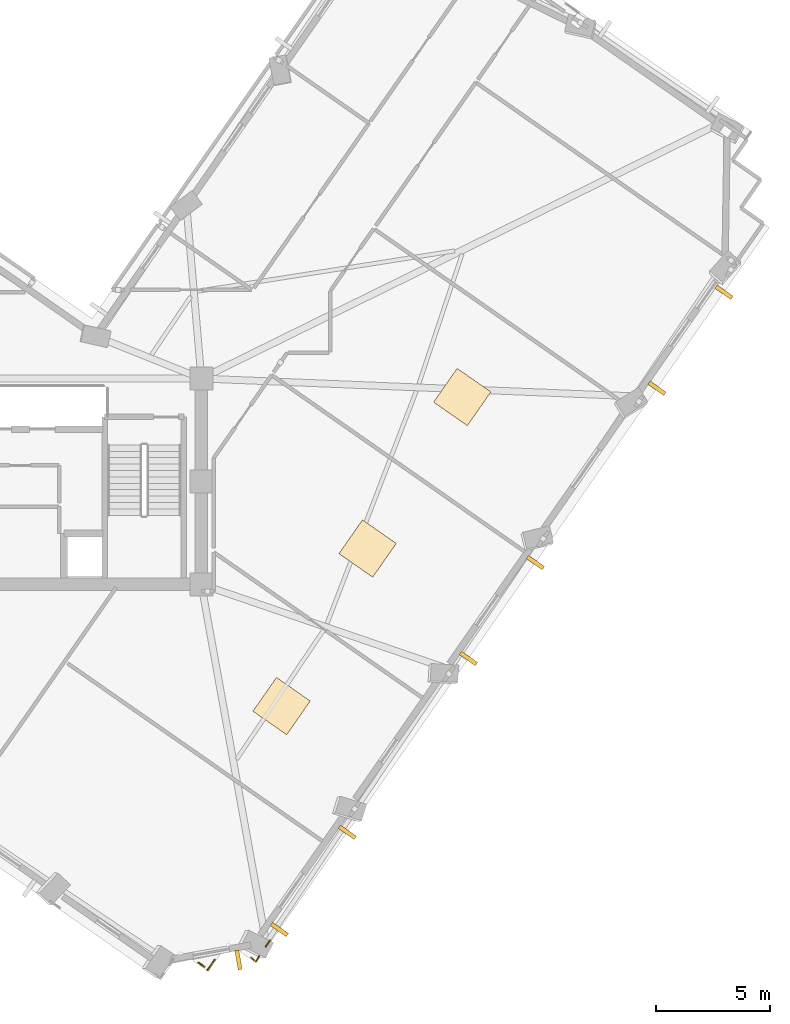
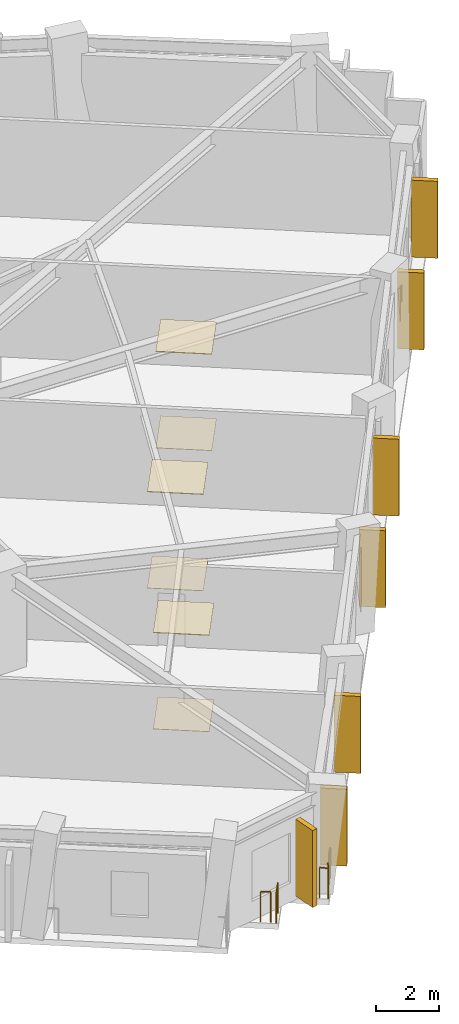
# One storey, part 10 of 12: 7 shading devices, 6 coverings, 4 railings.
"""IFC4 building model written with IfcOpenShell, lengths in metres."""

import ifcopenshell
import ifcopenshell.guid

model = None  # the IFC model being written
_history = None  # IfcOwnerHistory: only IFC2X3 demands one
_inside = {}  # id of a spatial element -> (the spatial element, [elements in it])
_under = {}  # id of a project, library or spatial element -> (it, [spatial elements below it])
_declared = {}  # id of a project -> (the project, [libraries it declares])
_typed = {}  # id of a type object -> (the type object, [elements of that type])
_made_of = {}  # id of a material, layer set ... -> (it, [elements and type objects made of it])


def new_model(schema):
    """Start an empty IFC model of exactly this schema.

    Asked for "IFC4X3", IfcOpenShell would pick the latest addendum, in which some entities
    have other attributes; the version numbers below select the first issue.
    IFC2X3 requires an IfcOwnerHistory on every rooted entity: one is made here for all.
    """
    global model, _history
    if schema == "IFC4X3":
        model = ifcopenshell.file(schema_version=(4, 3, 0, 0))
    else:
        model = ifcopenshell.file(schema=schema)
    _inside.clear()
    _under.clear()
    _declared.clear()
    _typed.clear()
    _made_of.clear()
    _history = None
    if model.schema == "IFC2X3":
        org = make("IfcOrganization", Name="unknown")
        user = make(
            "IfcPersonAndOrganization",
            ThePerson=make("IfcPerson", FamilyName="unknown"),
            TheOrganization=org,
        )
        app = make(
            "IfcApplication",
            ApplicationDeveloper=org,
            Version="unknown",
            ApplicationFullName="unknown",
            ApplicationIdentifier="unknown",
        )
        _history = make(
            "IfcOwnerHistory",
            OwningUser=user,
            OwningApplication=app,
            ChangeAction="ADDED",
            CreationDate=0,
        )
    return model


def make(cls, **values):
    """One entity of the class cls with the attributes given. An attribute that is None is left unset."""
    return model.create_entity(
        cls, **{name: value for name, value in values.items() if value is not None}
    )


def rooted(cls, **values):
    """An entity with a GlobalId (a new one), such as an element, a storey or a relation."""
    return make(cls, GlobalId=ifcopenshell.guid.new(), OwnerHistory=_history, **values)


def si_unit(unit_type, name, prefix=None):
    """IfcSIUnit, for example si_unit("LENGTHUNIT", "METRE", prefix="MILLI")."""
    return make("IfcSIUnit", UnitType=unit_type, Prefix=prefix, Name=name)


def assignment(units):
    """IfcUnitAssignment: the units of a project."""
    return None if units is None else make("IfcUnitAssignment", Units=units)


def point(xyz):
    """IfcCartesianPoint."""
    return None if xyz is None else make("IfcCartesianPoint", Coordinates=xyz)


def direction(xyz):
    """IfcDirection."""
    return None if xyz is None else make("IfcDirection", DirectionRatios=xyz)


def frame(location, z_axis=None, x_axis=None):
    """IfcAxis2Placement3D, a coordinate frame: its origin and axes. An axis left out is left unset."""
    return make(
        "IfcAxis2Placement3D",
        Location=point(location),
        Axis=direction(z_axis),
        RefDirection=direction(x_axis),
    )


def frame_2d(location, x_axis=None):
    """IfcAxis2Placement2D, a coordinate frame in the plane: its origin and x axis."""
    return make(
        "IfcAxis2Placement2D", Location=point(location), RefDirection=direction(x_axis)
    )


def origin():
    """The frame at (0, 0, 0) with its axes left unset."""
    return frame((0.0, 0.0, 0.0))


def origin_2d():
    """The frame at (0, 0) in the plane with its x axis left unset."""
    return frame_2d((0.0, 0.0))


def place(relative_to, where):
    """IfcLocalPlacement: puts the frame where relative to a parent placement (None: the world)."""
    return make(
        "IfcLocalPlacement", PlacementRelTo=relative_to, RelativePlacement=where
    )


def context(
    kind, dimensions, precision=None, world=None, true_north=None, identifier=None
):
    """IfcGeometricRepresentationContext, for example the 3D "Model" context."""
    return make(
        "IfcGeometricRepresentationContext",
        ContextIdentifier=identifier,
        ContextType=kind,
        CoordinateSpaceDimension=dimensions,
        Precision=precision,
        WorldCoordinateSystem=world,
        TrueNorth=true_north,
    )


def subcontext(parent, identifier, kind, view, scale=None):
    """IfcGeometricRepresentationSubContext, for example "Body" below "Model"."""
    return make(
        "IfcGeometricRepresentationSubContext",
        ContextIdentifier=identifier,
        ContextType=kind,
        ParentContext=parent,
        TargetScale=scale,
        TargetView=view,
    )


def project(units=None, contexts=None):
    """IfcProject with its units and contexts."""
    return rooted(
        "IfcProject",
        Name="project",
        RepresentationContexts=contexts,
        UnitsInContext=assignment(units),
    )


def spatial(cls, under=None, at=None, **own):
    """A site, building, storey or space (cls), placed at a placement, below another one or the project."""
    s = rooted(cls, ObjectPlacement=at, **own)
    if under is not None:
        _under.setdefault(under.id(), (under, []))[1].append(s)
    return s


def profile(cls, at=None, kind="AREA", **sizes):
    """A parametric profile (cls). Its sizes go by their IFC names, for example OverallWidth=200.0."""
    return make(cls, ProfileType=kind, Position=at, **sizes)


def rectangle(**sizes):
    """IfcRectangleProfileDef."""
    return profile("IfcRectangleProfileDef", **sizes)


def circle(**sizes):
    """IfcCircleProfileDef."""
    return profile("IfcCircleProfileDef", **sizes)


def extrude(swept, where, along, depth):
    """IfcExtrudedAreaSolid: the profile swept, set in the frame where, extruded along a direction by depth."""
    return make(
        "IfcExtrudedAreaSolid",
        SweptArea=swept,
        Position=where,
        ExtrudedDirection=direction(along),
        Depth=depth,
    )


def shape(context_of_items, identifier, shape_type, items):
    """IfcShapeRepresentation: the items that make up one representation, for example the "Body"."""
    return make(
        "IfcShapeRepresentation",
        ContextOfItems=context_of_items,
        RepresentationIdentifier=identifier,
        RepresentationType=shape_type,
        Items=items,
    )


def material(Name=None, Category=None):
    """IfcMaterial."""
    return make("IfcMaterial", Name=Name, Category=Category)


def layer(
    of_material, thickness, ventilated=None, Name=None, Category=None, Priority=None
):
    """IfcMaterialLayer: one layer of a wall or slab, of a material (None: an air gap)."""
    return make(
        "IfcMaterialLayer",
        Material=of_material,
        LayerThickness=thickness,
        IsVentilated=ventilated,
        Name=Name,
        Category=Category,
        Priority=Priority,
    )


def layer_set(layers, Name=None):
    """IfcMaterialLayerSet."""
    return make("IfcMaterialLayerSet", MaterialLayers=layers, LayerSetName=Name)


def made_of(thing, what):
    """Note that an element or type object is made of a material, layer set ...; save() writes the relation."""
    if what is not None:
        _made_of.setdefault(what.id(), (what, []))[1].append(thing)
    return thing


def type_object(cls, material=None, **own):
    """A type object (cls), such as IfcWallType, which elements share."""
    return made_of(rooted(cls, **own), material)


def element(
    cls,
    number,
    at=None,
    inside=None,
    cuts=None,
    type_object=None,
    material=None,
    context=None,
    identifier="Body",
    shape_type=None,
    held_by="IfcProductDefinitionShape",
    body=None,
    shapes=None,
    **own,
):
    """One element of the class cls, such as IfcWall. Its Tag is "e" and its number.

    at: its placement. inside: the storey or other place that contains it. cuts: it is an
    opening in that element (IfcRelVoidsElement). A single representation is given by context,
    identifier, shape_type and body (its items); several are given by shapes. held_by: the class
    of the entity that holds the representations. save() writes the other relations.
    """
    e = rooted(cls, Tag="e%d" % number, ObjectPlacement=at, **own)
    if body is not None:
        shapes = [shape(context, identifier, shape_type, body)]
    if shapes is not None:
        e.Representation = make(held_by, Representations=shapes)
    if inside is not None:
        _inside.setdefault(inside.id(), (inside, []))[1].append(e)
    if cuts is not None:
        rooted(
            "IfcRelVoidsElement", RelatingBuildingElement=cuts, RelatedOpeningElement=e
        )
    if type_object is not None:
        _typed.setdefault(type_object.id(), (type_object, []))[1].append(e)
    return made_of(e, material)


def aggregate(whole, parts):
    """IfcRelAggregates: a whole, such as a stair, and the parts it consists of."""
    return rooted("IfcRelAggregates", RelatingObject=whole, RelatedObjects=parts)


def save(model, path):
    """Write the relations noted so far, then the file.

    IfcRelAggregates (storeys below a building ...), IfcRelContainedInSpatialStructure (elements
    in a storey), IfcRelDefinesByType, IfcRelAssociatesMaterial and IfcRelDeclares: one each for
    every whole, place, type object, material and project.
    """
    for whole, parts in _under.values():
        aggregate(whole, parts)
    for where, things in _inside.values():
        rooted(
            "IfcRelContainedInSpatialStructure",
            RelatedElements=things,
            RelatingStructure=where,
        )
    for kind, things in _typed.values():
        rooted("IfcRelDefinesByType", RelatedObjects=things, RelatingType=kind)
    for what, things in _made_of.values():
        rooted("IfcRelAssociatesMaterial", RelatedObjects=things, RelatingMaterial=what)
    for by, libraries in _declared.values():
        rooted("IfcRelDeclares", RelatingContext=by, RelatedDefinitions=libraries)
    model.write(path)


model = new_model("IFC4")

# Units and contexts
model_context = context("Model", 3, precision=1e-05, world=origin(), true_north=direction((0.0, 1.0)))
body_context = subcontext(model_context, "Body", "Model", "MODEL_VIEW")
ifc_project = project(units=[si_unit("LENGTHUNIT", "METRE"), si_unit("AREAUNIT", "SQUARE_METRE"), si_unit("VOLUMEUNIT", "CUBIC_METRE"), si_unit("PLANEANGLEUNIT", "RADIAN"), si_unit("MASSUNIT", "GRAM", prefix="KILO")], contexts=[model_context])

# Site, building, storey
site_placement = place(None, origin())
site = spatial("IfcSite", under=ifc_project, at=site_placement, CompositionType="ELEMENT")
building_placement = place(site_placement, origin())
building = spatial("IfcBuilding", under=site, at=building_placement, Name="Gaonmaruhae Medical Tower", CompositionType="ELEMENT")
storey_placement = place(building_placement, frame((0.0, 0.0, 259.199951171875)))
storey = spatial("IfcBuildingStorey", under=building, at=storey_placement, Name="L62", CompositionType="ELEMENT", Elevation=259.199951171875)

# Coverings
ifc_material_1 = material(Name="Acoustic mineral ceiling tile", Category="finish")
ifc_layer_1 = layer(ifc_material_1, 0.02490234375)
ifc_layer_set_1 = layer_set([ifc_layer_1], Name="Acoustic mineral ceiling tile")
covering_type_1 = type_object("IfcCoveringType", Name="CLG-01 Antimicrobial Acoustic Mineral Ceiling", PredefinedType="CEILING", material=ifc_layer_set_1)
for number, where, z_axis, x_axis, name in (
    (1, (39.106689453125, 2.480224609375, 3.755126953125), (0.0, 0.0, 1.0), (0.572145873446, 0.820151875874, 0.0), "L62 Clinical Room Acoustic Ceiling 2"),
    (2, (42.866455078125, 9.367919921875, 3.755126953125), (0.0, 0.0, 1.0), (0.572145873446, 0.820151875874, 0.0), "L62 Clinical Room Acoustic Ceiling 3"),
    (3, (47.004150390625, 15.99169921875, 3.755126953125), (0.0, 0.0, 1.0), (0.572145873446, 0.820151875874, 0.0), "L62 Clinical Room Acoustic Ceiling 4"),
):
    element("IfcCovering", number, at=place(storey_placement, frame(where, z_axis=z_axis, x_axis=x_axis)), inside=storey, type_object=covering_type_1, Name=name, PredefinedType="CEILING", context=body_context, shape_type="SweptSolid", body=[
        extrude(rectangle(XDim=1.800048828125, YDim=1.800048828125, at=origin_2d()), origin(), (0.0, 0.0, 1.0), 0.02490234375),
    ])
ifc_material_2 = material(Name="Seamless clinical vinyl flooring", Category="finish")
ifc_layer_2 = layer(ifc_material_2, 0.014892578125)
ifc_layer_set_2 = layer_set([ifc_layer_2], Name="Seamless clinical vinyl flooring")
covering_type_2 = type_object("IfcCoveringType", Name="FLR-01 Seamless Clinical Antistatic Vinyl Flooring", PredefinedType="FLOORING", material=ifc_layer_set_2)
for number, where, z_axis, x_axis, name in (
    (4, (39.106689453125, 2.480224609375, 0.0), (0.0, 0.0, 1.0), (0.572145873446, 0.820151875874, 0.0), "L62 Clinical Room Vinyl Flooring 2"),
    (5, (42.866455078125, 9.367919921875, 0.0), (0.0, 0.0, 1.0), (0.572145873446, 0.820151875874, 0.0), "L62 Clinical Room Vinyl Flooring 3"),
    (6, (47.004150390625, 15.99169921875, 0.0), (0.0, 0.0, 1.0), (0.572145873446, 0.820151875874, 0.0), "L62 Clinical Room Vinyl Flooring 4"),
):
    element("IfcCovering", number, at=place(storey_placement, frame(where, z_axis=z_axis, x_axis=x_axis)), inside=storey, type_object=covering_type_2, Name=name, PredefinedType="FLOORING", context=body_context, shape_type="SweptSolid", body=[
        extrude(rectangle(XDim=1.800048828125, YDim=1.800048828125, at=origin_2d()), origin(), (0.0, 0.0, 1.0), 0.014892578125),
    ])

# Railings
ifc_material_3 = material(Name="Stainless steel 316L and laminated safety glass", Category="steel")
ifc_layer_3 = layer(ifc_material_3, 0.080078125)
ifc_layer_set_3 = layer_set([ifc_layer_3], Name="Stainless steel 316L and laminated safety glass")
railing_type = type_object("IfcRailingType", Name="GD-120 Outdoor Terrace Safety Glass & Steel Balustrade", PredefinedType="BALUSTRADE", material=ifc_layer_set_3)
railing_1_placement = place(storey_placement, frame((38.601318359375, -7.75830078125, 0.0)))
element("IfcRailing", 7, at=railing_1_placement, inside=storey, type_object=railing_type, Name="L62 Perimeter Slab Edge Safety Balustrade 08", PredefinedType="BALUSTRADE", context=body_context, shape_type="SweptSolid", body=[
    extrude(circle(Radius=0.02392578125, at=origin_2d()), frame((0.0, 0.0, 1.17578125), z_axis=(-0.572159109019, -0.820142642451, 0.0), x_axis=(0.820142642451, -0.572159109019, 0.0)), (0.0, 0.0, 1.0), 0.339599609375),
    extrude(circle(Radius=0.02099609375, at=origin_2d()), origin(), (0.0, 0.0, 1.0), 1.15185546875),
    extrude(circle(Radius=0.02099609375, at=origin_2d()), frame((-0.1943359375, -0.278564453125, 0.0)), (0.0, 0.0, 1.0), 1.15185546875),
])
railing_2_placement = place(storey_placement, frame((36.181884765625, -8.60498046875, 0.0)))
element("IfcRailing", 8, at=railing_2_placement, inside=storey, type_object=railing_type, Name="L62 Perimeter Slab Edge Safety Balustrade 09", PredefinedType="BALUSTRADE", context=body_context, shape_type="SweptSolid", body=[
    extrude(circle(Radius=0.02392578125, at=origin_2d()), frame((0.0, 0.0, 1.17578125), z_axis=(-0.572379326857, -0.819988967113, 0.0), x_axis=(0.819988967113, -0.572379326857, 0.0)), (0.0, 0.0, 1.0), 0.56005859375),
    extrude(circle(Radius=0.02099609375, at=origin_2d()), origin(), (0.0, 0.0, 1.0), 1.15185546875),
    extrude(circle(Radius=0.02099609375, at=origin_2d()), frame((-0.320556640625, -0.459228515625, 0.0)), (0.0, 0.0, 1.0), 1.15185546875),
])
railing_3_placement = place(storey_placement, frame((35.73974609375, -8.918212890625, 0.0)))
element("IfcRailing", 9, at=railing_3_placement, inside=storey, type_object=railing_type, Name="L62 Perimeter Slab Edge Safety Balustrade 10", PredefinedType="BALUSTRADE", context=body_context, shape_type="SweptSolid", body=[
    extrude(circle(Radius=0.02392578125, at=origin_2d()), frame((0.0, 0.0, 1.17578125), z_axis=(-0.820493756817, 0.571655486307, 0.0), x_axis=(-0.571655486307, -0.820493756817, 0.0)), (0.0, 0.0, 1.0), 0.32666015625),
    extrude(circle(Radius=0.02099609375, at=origin_2d()), origin(), (0.0, 0.0, 1.0), 1.15185546875),
    extrude(circle(Radius=0.02099609375, at=origin_2d()), frame((-0.26806640625, 0.186767578125, 0.0)), (0.0, 0.0, 1.0), 1.15185546875),
])
railing_4_placement = place(storey_placement, frame((38.12158203125, -8.4462890625, 0.0)))
element("IfcRailing", 10, at=railing_4_placement, inside=storey, type_object=railing_type, Name="L62 Perimeter Corner Safety Balustrade 19", PredefinedType="BALUSTRADE", context=body_context, shape_type="SweptSolid", body=[
    extrude(circle(Radius=0.02392578125, at=origin_2d()), frame((0.0, 0.0, 1.17578125), z_axis=(-0.468512685308, -0.883456769574, 0.0), x_axis=(0.883456769574, -0.468512685308, 0.0)), (0.0, 0.0, 1.0), 0.287109375),
    extrude(circle(Radius=0.02392578125, at=origin_2d()), frame((-0.134521484375, -0.253662109375, 1.17578125), z_axis=(-0.744350700793, 0.667788914425, 0.0), x_axis=(-0.667788914425, -0.744350700793, 0.0)), (0.0, 0.0, 1.0), 0.287109375),
    extrude(circle(Radius=0.02099609375, at=origin_2d()), origin(), (0.0, 0.0, 1.0), 1.15185546875),
    extrude(circle(Radius=0.02099609375, at=origin_2d()), frame((-0.134521484375, -0.253662109375, 0.0)), (0.0, 0.0, 1.0), 1.15185546875),
    extrude(circle(Radius=0.02099609375, at=origin_2d()), frame((-0.34814453125, -0.06201171875, 0.0)), (0.0, 0.0, 1.0), 1.15185546875),
])

# Shading devices
ifc_material_4 = material(Name="Pigmented coral precast concrete C45/55", Category="concrete")
shading_device_type = type_object("IfcShadingDeviceType", Name="SD-FIN1 Tower Vertical Coral Precast Shading Fin", PredefinedType="USERDEFINED", material=ifc_material_4)
for number, where, z_axis, x_axis, name in (
    (11, (41.97607421875, -3.0341796875, 0.132568359375), (0.0, 0.0, 1.0), (-0.572145873446, -0.820151875874, 0.0), "L62 Vertical Coral Precast Shading Fin S01"),
    (12, (39.009765625, -7.28662109375, 0.132568359375), (0.0, 0.0, 1.0), (-0.572145873446, -0.820151875874, 0.0), "L62 Vertical Coral Precast Shading Fin S01B"),
    (13, (50.199951171875, 8.75439453125, 0.132568359375), (0.0, 0.0, 1.0), (-0.572145873446, -0.820151875874, 0.0), "L62 Vertical Coral Precast Shading Fin S03"),
    (14, (47.2744140625, 4.560546875, 0.132568359375), (0.0, 0.0, 1.0), (-0.572145873446, -0.820151875874, 0.0), "L62 Vertical Coral Precast Shading Fin S03B"),
    (15, (58.445068359375, 20.5732421875, 0.132568359375), (0.0, 0.0, 1.0), (-0.572145873446, -0.820151875874, 0.0), "L62 Vertical Coral Precast Shading Fin S05"),
    (16, (55.5166015625, 16.375244140625, 0.132568359375), (0.0, 0.0, 1.0), (-0.572145873446, -0.820151875874, 0.0), "L62 Vertical Coral Precast Shading Fin S05B"),
    (17, (37.2216796875, -8.6142578125, 0.132568359375), (0.0, 0.0, 1.0), (-0.984503179974, -0.175366726092, 0.0), "L62 Vertical Coral Precast Shading Fin W06"),
):
    element("IfcShadingDevice", number, at=place(storey_placement, frame(where, z_axis=z_axis, x_axis=x_axis)), inside=storey, type_object=shading_device_type, Name=name, ObjectType="FIN", PredefinedType="USERDEFINED", context=body_context, shape_type="SweptSolid", body=[
        extrude(rectangle(XDim=0.179931640625, YDim=0.85009765625, at=origin_2d()), origin(), (0.0, 0.0, 1.0), 3.0),
    ])

save(model, "model.ifc")
